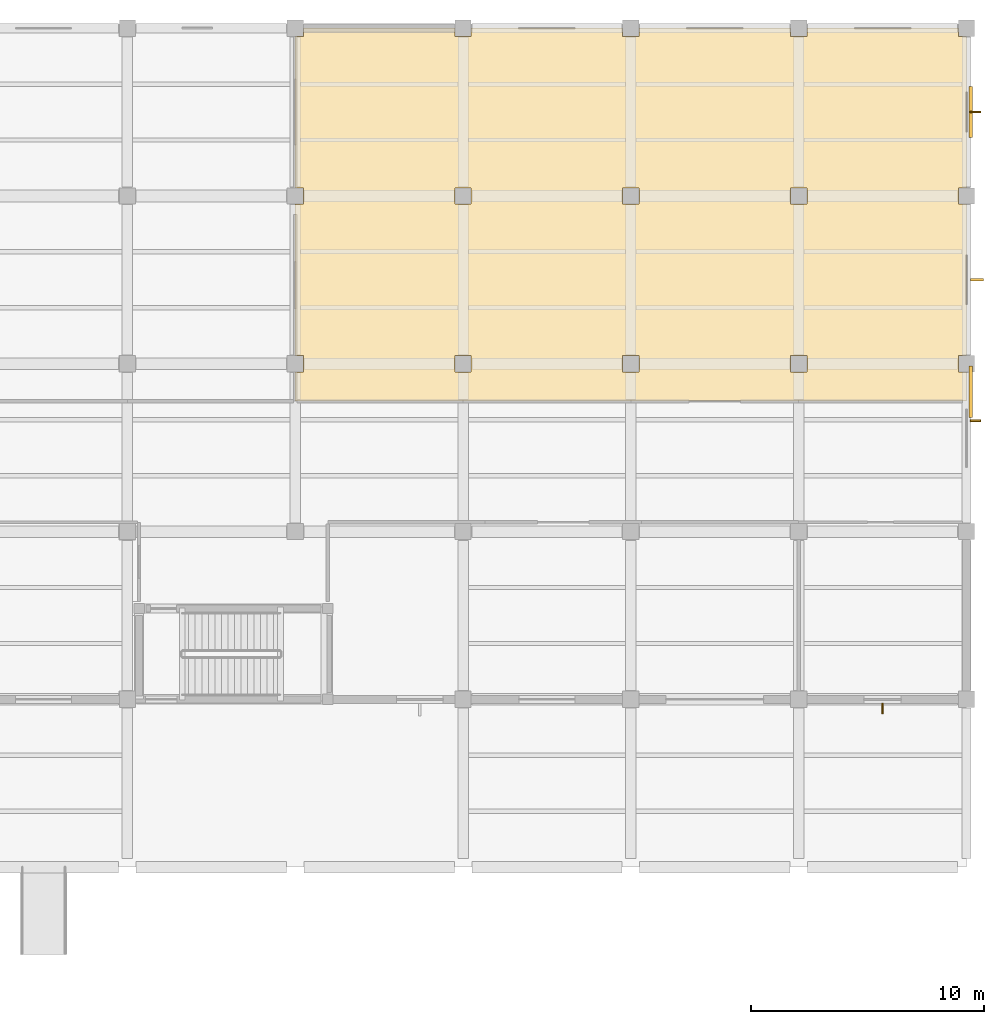
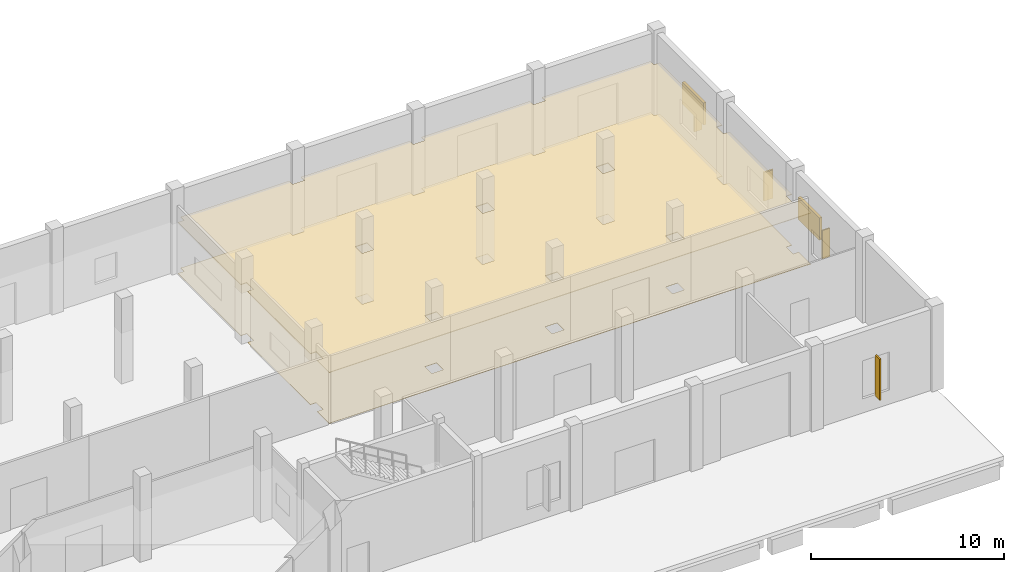
# One storey, part 46 of 46: 6 shading devices, 2 coverings.
"""IFC4 building model written with IfcOpenShell, lengths in metres."""

from ifc_helpers import new_model, si_unit, direction, frame, origin, origin_2d, place, context, subcontext, project, spatial, polyline, rectangle, outline, extrude, material, layer, layer_set, type_object, element, save


model = new_model("IFC4")

# Units and contexts
model_context = context("Model", 3, precision=1e-05, world=origin(), true_north=direction((0.0, 1.0)))
body_context = subcontext(model_context, "Body", "Model", "MODEL_VIEW")
ifc_project = project(units=[si_unit("LENGTHUNIT", "METRE"), si_unit("AREAUNIT", "SQUARE_METRE"), si_unit("VOLUMEUNIT", "CUBIC_METRE"), si_unit("PLANEANGLEUNIT", "RADIAN"), si_unit("MASSUNIT", "GRAM", prefix="KILO"), si_unit("THERMODYNAMICTEMPERATUREUNIT", "KELVIN"), si_unit("POWERUNIT", "WATT")], contexts=[model_context])

# Site, building, storey
site_placement = place(None, origin())
site = spatial("IfcSite", under=ifc_project, at=site_placement, CompositionType="ELEMENT")
building_placement = place(site_placement, origin())
building = spatial("IfcBuilding", under=site, at=building_placement, Name="Kaldorven Railside Theatre", CompositionType="ELEMENT")
storey_placement = place(building_placement, origin())
storey = spatial("IfcBuildingStorey", under=building, at=storey_placement, Name="L00", CompositionType="ELEMENT", Elevation=0.0)

# Coverings
ifc_material_1 = material(Name="Acoustic gypsum board")
ifc_layer_1 = layer(ifc_material_1, 0.0400390625, Name="Acoustic gypsum board")
ifc_layer_set_1 = layer_set([ifc_layer_1], Name="Acoustic gypsum board")
covering_type_1 = type_object("IfcCoveringType", Name="COV-CLG-01", PredefinedType="CEILING", material=ifc_layer_set_1)
covering_1_placement = place(storey_placement, frame((0.0, 0.0, 3.2099609375)))
element("IfcCovering", 1, at=covering_1_placement, inside=storey, type_object=covering_type_1, Name="Carpentry Workshop Acoustic Ceiling 009", PredefinedType="CEILING", context=body_context, shape_type="SweptSolid", body=[
    extrude(outline(polyline([(188.0, 125.60009765625), (159.199951171875, 125.60009765625), (159.199951171875, 126.847900390625), (159.552001953125, 126.847900390625), (159.552001953125, 127.552001953125), (159.199951171875, 127.552001953125), (159.199951171875, 134.048095703125), (159.552001953125, 134.048095703125), (159.552001953125, 134.751953125), (159.199951171875, 134.751953125), (159.199951171875, 141.248046875), (159.552001953125, 141.248046875), (159.552001953125, 141.60009765625), (166.048095703125, 141.60009765625), (166.048095703125, 141.248046875), (166.751953125, 141.248046875), (166.751953125, 141.60009765625), (173.248046875, 141.60009765625), (173.248046875, 141.248046875), (173.951904296875, 141.248046875), (173.951904296875, 141.60009765625), (180.447998046875, 141.60009765625), (180.447998046875, 141.248046875), (181.152099609375, 141.248046875), (181.152099609375, 141.60009765625), (187.64794921875, 141.60009765625), (187.64794921875, 141.248046875), (188.0, 141.248046875), (188.0, 134.751953125), (187.64794921875, 134.751953125), (187.64794921875, 134.048095703125), (188.0, 134.048095703125), (188.0, 127.552001953125), (187.64794921875, 127.552001953125), (187.64794921875, 126.847900390625), (188.0, 126.847900390625), (188.0, 125.60009765625)]), holes=[polyline([(181.152099609375, 127.552001953125), (180.447998046875, 127.552001953125), (180.447998046875, 126.847900390625), (181.152099609375, 126.847900390625), (181.152099609375, 127.552001953125)]), polyline([(166.751953125, 127.552001953125), (166.048095703125, 127.552001953125), (166.048095703125, 126.847900390625), (166.751953125, 126.847900390625), (166.751953125, 127.552001953125)]), polyline([(173.951904296875, 127.552001953125), (173.248046875, 127.552001953125), (173.248046875, 126.847900390625), (173.951904296875, 126.847900390625), (173.951904296875, 127.552001953125)]), polyline([(181.152099609375, 134.751953125), (180.447998046875, 134.751953125), (180.447998046875, 134.048095703125), (181.152099609375, 134.048095703125), (181.152099609375, 134.751953125)]), polyline([(173.951904296875, 134.751953125), (173.248046875, 134.751953125), (173.248046875, 134.048095703125), (173.951904296875, 134.048095703125), (173.951904296875, 134.751953125)]), polyline([(166.751953125, 134.751953125), (166.048095703125, 134.751953125), (166.048095703125, 134.048095703125), (166.751953125, 134.048095703125), (166.751953125, 134.751953125)])]), origin(), (0.0, 0.0, 1.0), 0.0400390625),
])
ifc_material_2 = material(Name="Terrazzo stone finish", Category="masonry")
ifc_layer_2 = layer(ifc_material_2, 0.02001953125, Name="Terrazzo stone finish")
ifc_layer_set_2 = layer_set([ifc_layer_2], Name="Terrazzo stone finish")
covering_type_2 = type_object("IfcCoveringType", Name="COV-FLR-02", PredefinedType="FLOORING", material=ifc_layer_set_2)
covering_2_placement = place(storey_placement, origin())
element("IfcCovering", 2, at=covering_2_placement, inside=storey, type_object=covering_type_2, Name="Carpentry Workshop Finish Flooring FLR-005", PredefinedType="FLOORING", context=body_context, shape_type="SweptSolid", body=[
    extrude(outline(polyline([(188.0, 125.60009765625), (159.199951171875, 125.60009765625), (159.199951171875, 126.847900390625), (159.552001953125, 126.847900390625), (159.552001953125, 127.552001953125), (159.199951171875, 127.552001953125), (159.199951171875, 134.048095703125), (159.552001953125, 134.048095703125), (159.552001953125, 134.751953125), (159.199951171875, 134.751953125), (159.199951171875, 141.248046875), (159.552001953125, 141.248046875), (159.552001953125, 141.60009765625), (166.048095703125, 141.60009765625), (166.048095703125, 141.248046875), (166.751953125, 141.248046875), (166.751953125, 141.60009765625), (173.248046875, 141.60009765625), (173.248046875, 141.248046875), (173.951904296875, 141.248046875), (173.951904296875, 141.60009765625), (180.447998046875, 141.60009765625), (180.447998046875, 141.248046875), (181.152099609375, 141.248046875), (181.152099609375, 141.60009765625), (187.64794921875, 141.60009765625), (187.64794921875, 141.248046875), (188.0, 141.248046875), (188.0, 134.751953125), (187.64794921875, 134.751953125), (187.64794921875, 134.048095703125), (188.0, 134.048095703125), (188.0, 127.552001953125), (187.64794921875, 127.552001953125), (187.64794921875, 126.847900390625), (188.0, 126.847900390625), (188.0, 125.60009765625)]), holes=[polyline([(181.152099609375, 127.552001953125), (180.447998046875, 127.552001953125), (180.447998046875, 126.847900390625), (181.152099609375, 126.847900390625), (181.152099609375, 127.552001953125)]), polyline([(166.751953125, 127.552001953125), (166.048095703125, 127.552001953125), (166.048095703125, 126.847900390625), (166.751953125, 126.847900390625), (166.751953125, 127.552001953125)]), polyline([(173.951904296875, 127.552001953125), (173.248046875, 127.552001953125), (173.248046875, 126.847900390625), (173.951904296875, 126.847900390625), (173.951904296875, 127.552001953125)]), polyline([(181.152099609375, 134.751953125), (180.447998046875, 134.751953125), (180.447998046875, 134.048095703125), (181.152099609375, 134.048095703125), (181.152099609375, 134.751953125)]), polyline([(173.951904296875, 134.751953125), (173.248046875, 134.751953125), (173.248046875, 134.048095703125), (173.951904296875, 134.048095703125), (173.951904296875, 134.751953125)]), polyline([(166.751953125, 134.751953125), (166.048095703125, 134.751953125), (166.048095703125, 134.048095703125), (166.751953125, 134.048095703125), (166.751953125, 134.751953125)])]), origin(), (0.0, 0.0, 1.0), 0.02001953125),
])

# Shading devices
ifc_material_3 = material(Name="Anodised bronze aluminium", Category="aluminium")
shading_device_type_1 = type_object("IfcShadingDeviceType", Name="SHD-FIN-01", PredefinedType="USERDEFINED", material=ifc_material_3)
shading_device_1_placement = place(storey_placement, frame((184.39990234375, 112.404052734375, 0.800048828125), z_axis=(0.0, 0.0, 1.0), x_axis=(-1.0, 0.0, 0.0)))
element("IfcShadingDevice", 3, at=shading_device_1_placement, inside=storey, type_object=shading_device_type_1, Name="Anodised-Bronze Brise-Soleil Fin FIN-039", ObjectType="SUNSHADE", PredefinedType="USERDEFINED", context=body_context, shape_type="SweptSolid", body=[
    extrude(rectangle(XDim=0.080078125, YDim=0.449951171875, at=origin_2d()), origin(), (0.0, 0.0, 1.0), 2.60009765625),
])
for number, where, z_axis, x_axis, name in (
    (4, (188.39599609375, 138.0, 0.7998046875), (0.0, 0.0, 1.0), (0.0, -1.0, 0.0), "Anodised-Bronze Brise-Soleil Fin FIN-041"),
    (5, (188.39599609375, 124.75, 0.7998046875), (0.0, 0.0, 1.0), (0.0, -1.0, 0.0), "Anodised-Bronze Brise-Soleil Fin FIN-043"),
):
    element("IfcShadingDevice", number, at=place(storey_placement, frame(where, z_axis=z_axis, x_axis=x_axis)), inside=storey, type_object=shading_device_type_1, Name=name, ObjectType="SUNSHADE", PredefinedType="USERDEFINED", context=body_context, shape_type="SweptSolid", body=[
        extrude(rectangle(XDim=0.080078125, YDim=0.449951171875, at=origin_2d()), origin(), (0.0, 0.0, 1.0), 1.800048828125),
    ])
shading_device_type_2 = type_object("IfcShadingDeviceType", Name="SHD-FIN-02", PredefinedType="USERDEFINED", material=ifc_material_3)
shading_device_2_placement = place(storey_placement, frame((188.446044921875, 130.800048828125, 0.7998046875), z_axis=(0.0, 0.0, 1.0), x_axis=(0.0, -1.0, 0.0)))
element("IfcShadingDevice", 6, at=shading_device_2_placement, inside=storey, type_object=shading_device_type_2, Name="Anodised-Bronze Brise-Soleil Fin FIN-042", ObjectType="SUNSHADE", PredefinedType="USERDEFINED", context=body_context, shape_type="SweptSolid", body=[
    extrude(rectangle(XDim=0.10009765625, YDim=0.550048828125, at=origin_2d()), origin(), (0.0, 0.0, 1.0), 1.800048828125),
])
shading_device_type_3 = type_object("IfcShadingDeviceType", Name="SHD-LVR-01", PredefinedType="JALOUSIE", material=ifc_material_3)
for number, where, z_axis, x_axis, name in (
    (7, (188.179931640625, 126.0, 1.900146484375), (0.0, 0.0, 1.0), (0.0, 1.0, 0.0), "Acoustic Weather Louvre Bank LVR-05"),
    (8, (188.179931640625, 138.0, 1.900146484375), (0.0, 0.0, 1.0), (0.0, 1.0, 0.0), "Acoustic Weather Louvre Bank LVR-06"),
):
    element("IfcShadingDevice", number, at=place(storey_placement, frame(where, z_axis=z_axis, x_axis=x_axis)), inside=storey, type_object=shading_device_type_3, Name=name, PredefinedType="JALOUSIE", context=body_context, shape_type="SweptSolid", body=[
        extrude(rectangle(XDim=2.199951171875, YDim=0.159912109375, at=origin_2d()), origin(), (0.0, 0.0, 1.0), 1.39990234375),
    ])

save(model, "model.ifc")
